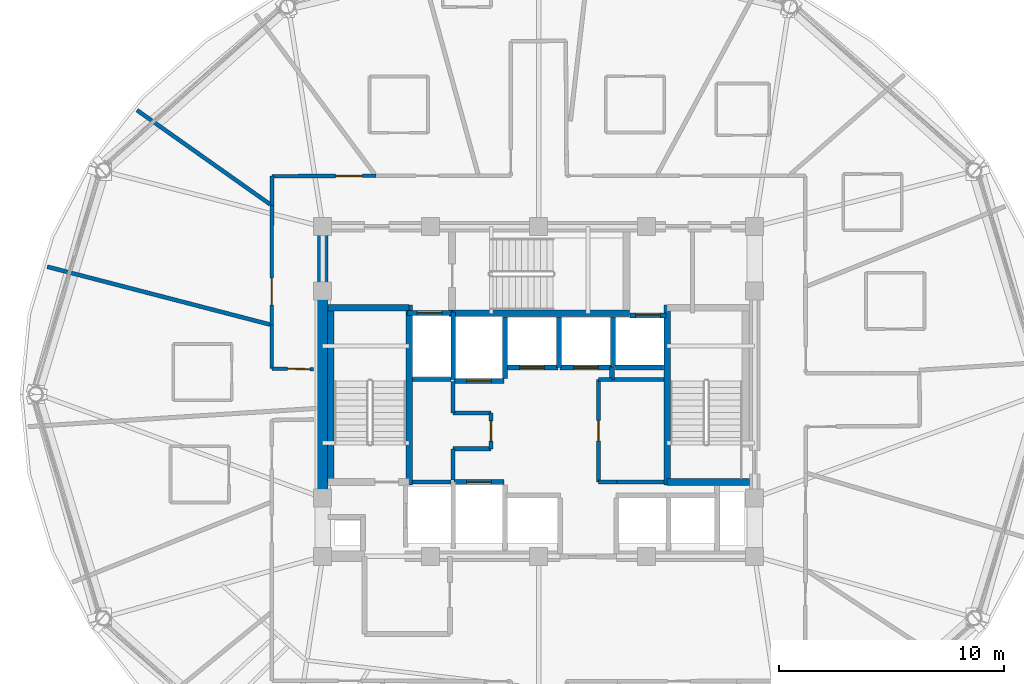
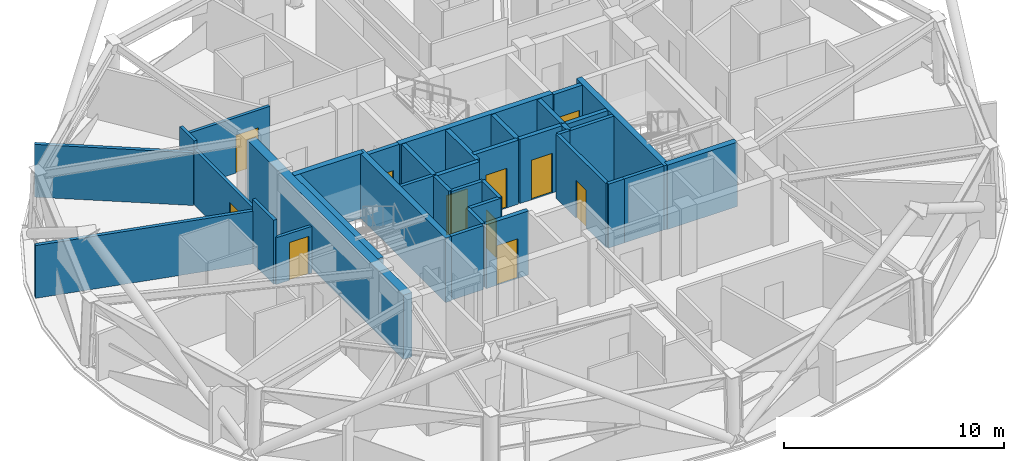
# One storey, part 8 of 14: 38 walls, 11 doors, 11 openings.
"""IFC4 building model written with IfcOpenShell, lengths in metres."""

from ifc_helpers import new_model, si_unit, direction, frame, frame_2d, origin, place, context, subcontext, project, spatial, rectangle, extrude, material, layer, layer_set, type_object, element, fill, save


model = new_model("IFC4")

# Units and contexts
model_context = context("Model", 3, precision=1e-05, world=origin(), true_north=direction((0.0, 1.0)))
body_context = subcontext(model_context, "Body", "Model", "MODEL_VIEW")
ifc_project = project(units=[si_unit("LENGTHUNIT", "METRE"), si_unit("AREAUNIT", "SQUARE_METRE"), si_unit("VOLUMEUNIT", "CUBIC_METRE"), si_unit("PLANEANGLEUNIT", "RADIAN"), si_unit("MASSUNIT", "GRAM", prefix="KILO")], contexts=[model_context])

# Site, building, storey
site_placement = place(None, origin())
site = spatial("IfcSite", under=ifc_project, at=site_placement, CompositionType="ELEMENT")
building_placement = place(site_placement, origin())
building = spatial("IfcBuilding", under=site, at=building_placement, Name="Vantalir Tower", CompositionType="ELEMENT")
storey_placement = place(building_placement, frame((0.0, 0.0, 204.89990234375)))
storey = spatial("IfcBuildingStorey", under=building, at=storey_placement, Name="L51", CompositionType="ELEMENT", Elevation=204.89990234375)

# Wall
ifc_material_1 = material(Name="Concrete C50/60", Category="concrete")
ifc_layer_1 = layer(ifc_material_1, 0.449951171875)
ifc_layer_set_1 = layer_set([ifc_layer_1], Name="Concrete C50/60")
wall_type_1 = type_object("IfcWallType", Name="WL-CORE-450", PredefinedType="SHEAR", material=ifc_layer_set_1)
wall_1_placement = place(storey_placement, frame((21.89990234375, 18.02490234375, 0.0), z_axis=(0.0, 0.0, 1.0), x_axis=(0.0, 1.0, 0.0)))
element("IfcWall", 1, at=wall_1_placement, inside=storey, type_object=wall_type_1, Name="L51 Core Shear Wall West", PredefinedType="SHEAR", context=body_context, shape_type="SweptSolid", body=[
    extrude(rectangle(XDim=14.2001953125, YDim=0.449951171875, at=frame_2d((7.10009765625, 0.0))), origin(), (0.0, 0.0, 1.0), 3.570068359375),
])

# Wall, opening, door
ifc_material_2 = material(Name="Fire-rated hotel corridor acoustic partition", Category="gypsum")
ifc_layer_2 = layer(ifc_material_2, 0.159912109375)
ifc_layer_set_2 = layer_set([ifc_layer_2], Name="Fire-rated hotel corridor acoustic partition")
wall_type_2 = type_object("IfcWallType", Name="WL-CORR-160", PredefinedType="PARTITIONING", material=ifc_layer_set_2)
wall_2_placement = place(storey_placement, frame((21.4951171875, 26.116943359375, 0.0), z_axis=(0.0, 0.0, 1.0), x_axis=(-0.999908537082, 0.013524698532, 0.0)))
wall_2 = element("IfcWall", 2, at=wall_2_placement, inside=storey, type_object=wall_type_2, Name="L51 Corridor Partition 01", PredefinedType="PARTITIONING", context=body_context, shape_type="SweptSolid", body=[
    extrude(rectangle(XDim=1.859375, YDim=0.159912109375, at=frame_2d((0.9296875, 0.0))), origin(), (0.0, 0.0, 1.0), 2.59521484375),
])
opening_1_placement = place(wall_2_placement, frame((0.159912109375, 0.0, 0.0)))
opening_1 = element("IfcOpeningElement", 3, at=opening_1_placement, cuts=wall_2, Name="Opening D-GUEST", PredefinedType="OPENING", context=body_context, shape_type="SweptSolid", body=[
    extrude(rectangle(XDim=1.0, YDim=2.10009765625, at=frame_2d((0.5, 1.050048828125))), frame((0.0, 0.08984375, 0.0), z_axis=(0.0, -1.0, 0.0), x_axis=(1.0, 0.0, 0.0)), (0.0, 0.0, 1.0), 0.179931640625),
])
ifc_material_3 = material(Name="Solid-core teak veneer acoustic fire door", Category="wood")
door_type_1 = type_object("IfcDoorType", Name="DR-GUEST-ENTRY-1000", OperationType="NOTDEFINED", PredefinedType="DOOR", material=ifc_material_3)
door_1_placement = place(opening_1_placement, origin())
door_1 = element("IfcDoor", 4, at=door_1_placement, inside=storey, type_object=door_type_1, Name="L51 Twin Queen Hotel Room 09 Door", OperationType="SINGLE_SWING_LEFT", OverallHeight=2.10009765625, OverallWidth=1.0, PredefinedType="DOOR", context=body_context, shape_type="SweptSolid", body=[
    extrude(rectangle(XDim=1.0, YDim=2.10009765625, at=frame_2d((0.5, 1.050048828125))), frame((0.0, 0.02490234375, 0.0), z_axis=(0.0, -1.0, 0.0), x_axis=(1.0, 0.0, 0.0)), (0.0, 0.0, 1.0), 0.050048828125),
])
fill(opening_1, door_1)

# Wall
wall_3_placement = place(storey_placement, frame((19.635986328125, 26.14208984375, 0.0), z_axis=(0.0, 0.0, 1.0), x_axis=(0.001008318116, 0.999999491647, 0.0)))
element("IfcWall", 5, at=wall_3_placement, inside=storey, type_object=wall_type_2, Name="L51 Corridor Partition 02", PredefinedType="PARTITIONING", context=body_context, shape_type="SweptSolid", body=[
    extrude(rectangle(XDim=1.93701171875, YDim=0.159912109375, at=frame_2d((0.968505859375, 0.0))), origin(), (0.0, 0.0, 1.0), 3.550048828125),
])

# Wall, opening, door
wall_4_placement = place(storey_placement, frame((19.637939453125, 28.0791015625, 0.0), z_axis=(0.0, 0.0, 1.0), x_axis=(0.000966094226, 0.999999533331, 0.0)))
wall_4 = element("IfcWall", 6, at=wall_4_placement, inside=storey, type_object=wall_type_2, Name="L51 Corridor Partition 03", PredefinedType="PARTITIONING", context=body_context, shape_type="SweptSolid", body=[
    extrude(rectangle(XDim=5.306884765625, YDim=0.159912109375, at=frame_2d((2.6533203125, 0.0))), origin(), (0.0, 0.0, 1.0), 3.0810546875),
])
opening_2_placement = place(wall_4_placement, frame((0.887939453125, 0.0, 0.0)))
opening_2 = element("IfcOpeningElement", 7, at=opening_2_placement, cuts=wall_4, Name="Opening D-STE", PredefinedType="OPENING", context=body_context, shape_type="SweptSolid", body=[
    extrude(rectangle(XDim=1.199951171875, YDim=2.10009765625, at=frame_2d((0.60009765625, 1.050048828125))), frame((0.0, 0.08984375, 0.0), z_axis=(0.0, -1.0, 0.0), x_axis=(1.0, 0.0, 0.0)), (0.0, 0.0, 1.0), 0.179931640625),
])
ifc_material_4 = material(Name="Solid-core teak veneer suite entrance door", Category="wood")
door_type_2 = type_object("IfcDoorType", Name="DR-SUITE-ENTRY-1200", OperationType="NOTDEFINED", PredefinedType="DOOR", material=ifc_material_4)
door_2_placement = place(opening_2_placement, origin())
door_2 = element("IfcDoor", 8, at=door_2_placement, inside=storey, type_object=door_type_2, Name="L51 Club Reading Lounge 08 Door", OperationType="SINGLE_SWING_RIGHT", OverallHeight=2.10009765625, OverallWidth=1.199951171875, PredefinedType="DOOR", context=body_context, shape_type="SweptSolid", body=[
    extrude(rectangle(XDim=1.199951171875, YDim=2.10009765625, at=frame_2d((0.60009765625, 1.050048828125))), frame((0.0, 0.02490234375, 0.0), z_axis=(0.0, -1.0, 0.0), x_axis=(1.0, 0.0, 0.0)), (0.0, 0.0, 1.0), 0.050048828125),
])
fill(opening_2, door_2)

# Wall
wall_5_placement = place(storey_placement, frame((19.64306640625, 33.385986328125, 0.0), z_axis=(0.0, 0.0, 1.0), x_axis=(0.000743217929, 0.999999723814, 0.0)))
element("IfcWall", 9, at=wall_5_placement, inside=storey, type_object=wall_type_2, Name="L51 Corridor Partition 04", PredefinedType="PARTITIONING", context=body_context, shape_type="SweptSolid", body=[
    extrude(rectangle(XDim=1.31396484375, YDim=0.159912109375, at=frame_2d((0.656982421875, 0.0))), origin(), (0.0, 0.0, 1.0), 3.550048828125),
])

# Wall, opening, door
wall_6_placement = place(storey_placement, frame((19.64404296875, 34.699951171875, 0.0), z_axis=(0.0, 0.0, 1.0), x_axis=(0.99999882779, 0.001531149208, 0.0)))
wall_6 = element("IfcWall", 10, at=wall_6_placement, inside=storey, type_object=wall_type_2, Name="L51 Corridor Partition 05", PredefinedType="PARTITIONING", context=body_context, shape_type="SweptSolid", body=[
    extrude(rectangle(XDim=4.6240234375, YDim=0.159912109375, at=frame_2d((2.31201171875, 0.0))), origin(), (0.0, 0.0, 1.0), 3.0810546875),
])
opening_3_placement = place(wall_6_placement, frame((2.821044921875, 0.0, 0.0)))
opening_3 = element("IfcOpeningElement", 11, at=opening_3_placement, cuts=wall_6, Name="Opening D-STE", PredefinedType="OPENING", context=body_context, shape_type="SweptSolid", body=[
    extrude(rectangle(XDim=1.199951171875, YDim=2.10009765625, at=frame_2d((0.60009765625, 1.050048828125))), frame((0.0, 0.08984375, 0.0), z_axis=(0.0, -1.0, 0.0), x_axis=(1.0, 0.0, 0.0)), (0.0, 0.0, 1.0), 0.179931640625),
])
door_3_placement = place(opening_3_placement, origin())
door_3 = element("IfcDoor", 12, at=door_3_placement, inside=storey, type_object=door_type_2, Name="L51 Executive Business Study 07 Door", OperationType="SINGLE_SWING_LEFT", OverallHeight=2.10009765625, OverallWidth=1.199951171875, PredefinedType="DOOR", context=body_context, shape_type="SweptSolid", body=[
    extrude(rectangle(XDim=1.199951171875, YDim=2.10009765625, at=frame_2d((0.60009765625, 1.050048828125))), frame((0.0, 0.02490234375, 0.0), z_axis=(0.0, -1.0, 0.0), x_axis=(1.0, 0.0, 0.0)), (0.0, 0.0, 1.0), 0.050048828125),
])
fill(opening_3, door_3)

# Walls
ifc_material_5 = material(Name="Concrete blockwork with fireboard lining", Category="masonry")
ifc_layer_3 = layer(ifc_material_5, 0.219970703125)
ifc_layer_set_3 = layer_set([ifc_layer_3], Name="Concrete blockwork with fireboard lining")
wall_type_3 = type_object("IfcWallType", Name="WL-FFL-220", PredefinedType="PARTITIONING", material=ifc_layer_set_3)
wall_7_placement = place(storey_placement, frame((30.0, 25.7099609375, 0.0), z_axis=(0.0, 0.0, 1.0), x_axis=(0.0, 1.0, 0.0)))
element("IfcWall", 13, at=wall_7_placement, inside=storey, type_object=wall_type_3, Name="L51 Service Lift SV2 East Shaft Wall", PredefinedType="PARTITIONING", context=body_context, shape_type="SweptSolid", body=[
    extrude(rectangle(XDim=2.72998046875, YDim=0.219970703125, at=frame_2d((1.364990234375, 0.0))), origin(), (0.0, 0.0, 1.0), 3.545166015625),
])
wall_8_placement = place(storey_placement, frame((32.39990234375, 26.199951171875, 0.0), z_axis=(0.0, 0.0, 1.0), x_axis=(0.0, 1.0, 0.0)))
element("IfcWall", 14, at=wall_8_placement, inside=storey, type_object=wall_type_3, Name="L51 High-Rise Lift PL-H1/H2 Shaft Divider", PredefinedType="PARTITIONING", context=body_context, shape_type="SweptSolid", body=[
    extrude(rectangle(XDim=2.239990234375, YDim=0.219970703125, at=frame_2d((1.1201171875, 0.0))), origin(), (0.0, 0.0, 1.0), 3.545166015625),
])
wall_9_placement = place(storey_placement, frame((34.800048828125, 26.22998046875, 0.0), z_axis=(0.0, 0.0, 1.0), x_axis=(0.0, 1.0, 0.0)))
element("IfcWall", 15, at=wall_9_placement, inside=storey, type_object=wall_type_3, Name="L51 High-Rise Lift PL-H2/H3 Shaft Divider", PredefinedType="PARTITIONING", context=body_context, shape_type="SweptSolid", body=[
    extrude(rectangle(XDim=2.2099609375, YDim=0.219970703125, at=frame_2d((1.10498046875, 0.0))), origin(), (0.0, 0.0, 1.0), 3.545166015625),
])
wall_10_placement = place(storey_placement, frame((34.909912109375, 26.18994140625, 0.0), z_axis=(0.0, 0.0, 1.0), x_axis=(1.0, 0.0, 0.0)))
element("IfcWall", 16, at=wall_10_placement, inside=storey, type_object=wall_type_3, Name="L51 High-Rise Lift PL-H3 Rear Shaft Wall", PredefinedType="PARTITIONING", context=body_context, shape_type="SweptSolid", body=[
    extrude(rectangle(XDim=2.14013671875, YDim=0.219970703125, at=frame_2d((1.070068359375, 0.0))), origin(), (0.0, 0.0, 1.0), 3.545166015625),
])

# Wall, opening, door
wall_11_placement = place(storey_placement, frame((25.639892578125, 28.610107421875, 0.0), z_axis=(0.0, 0.0, 1.0), x_axis=(1.0, 0.0, 0.0)))
wall_11 = element("IfcWall", 17, at=wall_11_placement, inside=storey, type_object=wall_type_3, Name="L51 Lift FL2 Shaft Front Wall", PredefinedType="PARTITIONING", context=body_context, shape_type="SweptSolid", body=[
    extrude(rectangle(XDim=2.02001953125, YDim=0.219970703125, at=frame_2d((1.010009765625, 0.0))), origin(), (0.0, 0.0, 1.0), 3.550048828125),
])
opening_4_placement = place(wall_11_placement, frame((0.4599609375, 0.0, 0.0)))
opening_4 = element("IfcOpeningElement", 18, at=opening_4_placement, cuts=wall_11, Name="Opening LD-FL2", PredefinedType="OPENING", context=body_context, shape_type="SweptSolid", body=[
    extrude(rectangle(XDim=1.10009765625, YDim=2.199951171875, at=frame_2d((0.550048828125, 1.10009765625))), frame((0.0, 0.119873046875, 0.0), z_axis=(0.0, -1.0, 0.0), x_axis=(1.0, 0.0, 0.0)), (0.0, 0.0, 1.0), 0.239990234375),
])
ifc_material_6 = material(Name="Brushed stainless-steel sliding lift landing door", Category="steel")
door_type_3 = type_object("IfcDoorType", Name="DR-LIFT-LANDING-1100", OperationType="DOUBLE_DOOR_SLIDING", PredefinedType="DOOR", material=ifc_material_6)
door_4_placement = place(opening_4_placement, origin())
door_4 = element("IfcDoor", 19, at=door_4_placement, inside=storey, type_object=door_type_3, Name="L51 Lift Landing Door FL2", OperationType="DOUBLE_DOOR_SLIDING", OverallHeight=2.199951171875, OverallWidth=1.10009765625, PredefinedType="DOOR", context=body_context, shape_type="SweptSolid", body=[
    extrude(rectangle(XDim=1.10009765625, YDim=2.199951171875, at=frame_2d((0.550048828125, 1.10009765625))), frame((0.0, 0.02490234375, 0.0), z_axis=(0.0, -1.0, 0.0), x_axis=(1.0, 0.0, 0.0)), (0.0, 0.0, 1.0), 0.050048828125),
])
fill(opening_4, door_4)

wall_12_placement = place(storey_placement, frame((27.739990234375, 21.110107421875, 0.0), z_axis=(0.0, 0.0, 1.0), x_axis=(1.0, 0.0, 0.0)))
wall_12 = element("IfcWall", 20, at=wall_12_placement, inside=storey, type_object=wall_type_3, Name="L51 Lift SV1 Shaft Front Wall", PredefinedType="PARTITIONING", context=body_context, shape_type="SweptSolid", body=[
    extrude(rectangle(XDim=2.219970703125, YDim=0.219970703125, at=frame_2d((1.10986328125, 0.0))), origin(), (0.0, 0.0, 1.0), 3.550048828125),
])
opening_5_placement = place(wall_12_placement, frame((0.56005859375, 0.0, 0.0)))
opening_5 = element("IfcOpeningElement", 21, at=opening_5_placement, cuts=wall_12, Name="Opening LD-SV1", PredefinedType="OPENING", context=body_context, shape_type="SweptSolid", body=[
    extrude(rectangle(XDim=1.10009765625, YDim=2.199951171875, at=frame_2d((0.550048828125, 1.10009765625))), frame((0.0, 0.119873046875, 0.0), z_axis=(0.0, -1.0, 0.0), x_axis=(1.0, 0.0, 0.0)), (0.0, 0.0, 1.0), 0.239990234375),
])
door_5_placement = place(opening_5_placement, origin())
door_5 = element("IfcDoor", 22, at=door_5_placement, inside=storey, type_object=door_type_3, Name="L51 Lift Landing Door SV1", OperationType="DOUBLE_DOOR_SLIDING", OverallHeight=2.199951171875, OverallWidth=1.10009765625, PredefinedType="DOOR", context=body_context, shape_type="SweptSolid", body=[
    extrude(rectangle(XDim=1.10009765625, YDim=2.199951171875, at=frame_2d((0.550048828125, 1.10009765625))), frame((0.0, 0.02490234375, 0.0), z_axis=(0.0, -1.0, 0.0), x_axis=(1.0, 0.0, 0.0)), (0.0, 0.0, 1.0), 0.050048828125),
])
fill(opening_5, door_5)

wall_13_placement = place(storey_placement, frame((27.739990234375, 25.590087890625, 0.0), z_axis=(0.0, 0.0, 1.0), x_axis=(1.0, 0.0, 0.0)))
wall_13 = element("IfcWall", 23, at=wall_13_placement, inside=storey, type_object=wall_type_3, Name="L51 Lift SV2 Shaft Front Wall", PredefinedType="PARTITIONING", context=body_context, shape_type="SweptSolid", body=[
    extrude(rectangle(XDim=2.219970703125, YDim=0.219970703125, at=frame_2d((1.10986328125, 0.0))), origin(), (0.0, 0.0, 1.0), 3.550048828125),
])
opening_6_placement = place(wall_13_placement, frame((0.56005859375, 0.0, 0.0)))
opening_6 = element("IfcOpeningElement", 24, at=opening_6_placement, cuts=wall_13, Name="Opening LD-SV2", PredefinedType="OPENING", context=body_context, shape_type="SweptSolid", body=[
    extrude(rectangle(XDim=1.10009765625, YDim=2.199951171875, at=frame_2d((0.550048828125, 1.10009765625))), frame((0.0, 0.119873046875, 0.0), z_axis=(0.0, -1.0, 0.0), x_axis=(1.0, 0.0, 0.0)), (0.0, 0.0, 1.0), 0.239990234375),
])
door_6_placement = place(opening_6_placement, frame((1.10009765625, 0.0, 0.0), z_axis=(0.0, 0.0, 1.0), x_axis=(-1.0, 0.0, 0.0)))
door_6 = element("IfcDoor", 25, at=door_6_placement, inside=storey, type_object=door_type_3, Name="L51 Lift Landing Door SV2", OperationType="DOUBLE_DOOR_SLIDING", OverallHeight=2.199951171875, OverallWidth=1.10009765625, PredefinedType="DOOR", context=body_context, shape_type="SweptSolid", body=[
    extrude(rectangle(XDim=1.10009765625, YDim=2.199951171875, at=frame_2d((0.550048828125, 1.10009765625))), frame((0.0, 0.02490234375, 0.0), z_axis=(0.0, -1.0, 0.0), x_axis=(1.0, 0.0, 0.0)), (0.0, 0.0, 1.0), 0.050048828125),
])
fill(opening_6, door_6)

wall_14_placement = place(storey_placement, frame((30.0400390625, 26.18994140625, 0.0), z_axis=(0.0, 0.0, 1.0), x_axis=(1.0, 0.0, 0.0)))
wall_14 = element("IfcWall", 26, at=wall_14_placement, inside=storey, type_object=wall_type_3, Name="L51 Lift PL-H1 Shaft Front Wall", PredefinedType="PARTITIONING", context=body_context, shape_type="SweptSolid", body=[
    extrude(rectangle(XDim=2.320068359375, YDim=0.219970703125, at=frame_2d((1.16015625, 0.0))), origin(), (0.0, 0.0, 1.0), 3.550048828125),
])
opening_7_placement = place(wall_14_placement, frame((0.610107421875, 0.0, 0.0)))
opening_7 = element("IfcOpeningElement", 27, at=opening_7_placement, cuts=wall_14, Name="Opening LD-PL-H1", PredefinedType="OPENING", context=body_context, shape_type="SweptSolid", body=[
    extrude(rectangle(XDim=1.10009765625, YDim=2.199951171875, at=frame_2d((0.550048828125, 1.10009765625))), frame((0.0, 0.119873046875, 0.0), z_axis=(0.0, -1.0, 0.0), x_axis=(1.0, 0.0, 0.0)), (0.0, 0.0, 1.0), 0.239990234375),
])
door_7_placement = place(opening_7_placement, frame((1.10009765625, 0.0, 0.0), z_axis=(0.0, 0.0, 1.0), x_axis=(-1.0, 0.0, 0.0)))
door_7 = element("IfcDoor", 28, at=door_7_placement, inside=storey, type_object=door_type_3, Name="L51 Lift Landing Door PL-H1", OperationType="DOUBLE_DOOR_SLIDING", OverallHeight=2.199951171875, OverallWidth=1.10009765625, PredefinedType="DOOR", context=body_context, shape_type="SweptSolid", body=[
    extrude(rectangle(XDim=1.10009765625, YDim=2.199951171875, at=frame_2d((0.550048828125, 1.10009765625))), frame((0.0, 0.02490234375, 0.0), z_axis=(0.0, -1.0, 0.0), x_axis=(1.0, 0.0, 0.0)), (0.0, 0.0, 1.0), 0.050048828125),
])
fill(opening_7, door_7)

wall_15_placement = place(storey_placement, frame((32.43994140625, 26.18994140625, 0.0), z_axis=(0.0, 0.0, 1.0), x_axis=(1.0, 0.0, 0.0)))
wall_15 = element("IfcWall", 29, at=wall_15_placement, inside=storey, type_object=wall_type_3, Name="L51 Lift PL-H2 Shaft Front Wall", PredefinedType="PARTITIONING", context=body_context, shape_type="SweptSolid", body=[
    extrude(rectangle(XDim=2.320068359375, YDim=0.219970703125, at=frame_2d((1.16015625, 0.0))), origin(), (0.0, 0.0, 1.0), 3.550048828125),
])
opening_8_placement = place(wall_15_placement, frame((0.610107421875, 0.0, 0.0)))
opening_8 = element("IfcOpeningElement", 30, at=opening_8_placement, cuts=wall_15, Name="Opening LD-PL-H2", PredefinedType="OPENING", context=body_context, shape_type="SweptSolid", body=[
    extrude(rectangle(XDim=1.10009765625, YDim=2.199951171875, at=frame_2d((0.550048828125, 1.10009765625))), frame((0.0, 0.119873046875, 0.0), z_axis=(0.0, -1.0, 0.0), x_axis=(1.0, 0.0, 0.0)), (0.0, 0.0, 1.0), 0.239990234375),
])
door_8_placement = place(opening_8_placement, frame((1.10009765625, 0.0, 0.0), z_axis=(0.0, 0.0, 1.0), x_axis=(-1.0, 0.0, 0.0)))
door_8 = element("IfcDoor", 31, at=door_8_placement, inside=storey, type_object=door_type_3, Name="L51 Lift Landing Door PL-H2", OperationType="DOUBLE_DOOR_SLIDING", OverallHeight=2.199951171875, OverallWidth=1.10009765625, PredefinedType="DOOR", context=body_context, shape_type="SweptSolid", body=[
    extrude(rectangle(XDim=1.10009765625, YDim=2.199951171875, at=frame_2d((0.550048828125, 1.10009765625))), frame((0.0, 0.02490234375, 0.0), z_axis=(0.0, -1.0, 0.0), x_axis=(1.0, 0.0, 0.0)), (0.0, 0.0, 1.0), 0.050048828125),
])
fill(opening_8, door_8)

wall_16_placement = place(storey_placement, frame((35.56005859375, 28.510009765625, 0.0), z_axis=(0.0, 0.0, 1.0), x_axis=(1.0, 0.0, 0.0)))
wall_16 = element("IfcWall", 32, at=wall_16_placement, inside=storey, type_object=wall_type_3, Name="L51 Lift PL-H3 Shaft Front Wall", PredefinedType="PARTITIONING", context=body_context, shape_type="SweptSolid", body=[
    extrude(rectangle(XDim=1.599853515625, YDim=0.219970703125, at=frame_2d((0.7998046875, 0.0))), origin(), (0.0, 0.0, 1.0), 3.550048828125),
])
opening_9_placement = place(wall_16_placement, frame((0.25, 0.0, 0.0)))
opening_9 = element("IfcOpeningElement", 33, at=opening_9_placement, cuts=wall_16, Name="Opening LD-PL-H3", PredefinedType="OPENING", context=body_context, shape_type="SweptSolid", body=[
    extrude(rectangle(XDim=1.10009765625, YDim=2.199951171875, at=frame_2d((0.550048828125, 1.10009765625))), frame((0.0, 0.119873046875, 0.0), z_axis=(0.0, -1.0, 0.0), x_axis=(1.0, 0.0, 0.0)), (0.0, 0.0, 1.0), 0.239990234375),
])
door_9_placement = place(opening_9_placement, origin())
door_9 = element("IfcDoor", 34, at=door_9_placement, inside=storey, type_object=door_type_3, Name="L51 Lift Landing Door PL-H3", OperationType="DOUBLE_DOOR_SLIDING", OverallHeight=2.199951171875, OverallWidth=1.10009765625, PredefinedType="DOOR", context=body_context, shape_type="SweptSolid", body=[
    extrude(rectangle(XDim=1.10009765625, YDim=2.199951171875, at=frame_2d((0.550048828125, 1.10009765625))), frame((0.0, 0.02490234375, 0.0), z_axis=(0.0, -1.0, 0.0), x_axis=(1.0, 0.0, 0.0)), (0.0, 0.0, 1.0), 0.050048828125),
])
fill(opening_9, door_9)

# Walls
wall_17_placement = place(storey_placement, frame((27.699951171875, 25.64990234375, 0.0), z_axis=(0.0, 0.0, 1.0), x_axis=(0.0, 1.0, 0.0)))
element("IfcWall", 35, at=wall_17_placement, inside=storey, type_object=wall_type_3, Name="L51 Fire Lift FL2 Dividing Wall", PredefinedType="PARTITIONING", context=body_context, shape_type="SweptSolid", body=[
    extrude(rectangle(XDim=3.0, YDim=0.219970703125, at=frame_2d((1.5, 0.0))), origin(), (0.0, 0.0, 1.0), 3.550048828125),
])
wall_18_placement = place(storey_placement, frame((34.760009765625, 25.64990234375, 0.0), z_axis=(0.0, 0.0, 1.0), x_axis=(0.0, 1.0, 0.0)))
element("IfcWall", 36, at=wall_18_placement, inside=storey, type_object=wall_type_3, Name="L51 High-Rise Shaft Shoulder Wall", PredefinedType="PARTITIONING", context=body_context, shape_type="SweptSolid", body=[
    extrude(rectangle(XDim=0.570068359375, YDim=0.219970703125, at=frame_2d((0.28515625, 0.0))), origin(), (0.0, 0.0, 1.0), 3.550048828125),
])
ifc_material_7 = material(Name="Twin-stud acoustic fire-rated gypsum partition", Category="gypsum")
ifc_layer_4 = layer(ifc_material_7, 0.179931640625)
ifc_layer_set_4 = layer_set([ifc_layer_4], Name="Twin-stud acoustic fire-rated gypsum partition")
wall_type_4 = type_object("IfcWallType", Name="WL-GUEST-180", PredefinedType="PARTITIONING", material=ifc_layer_set_4)
for number, where, z_axis, x_axis, name in (
    (37, (25.889892578125, 21.10009765625, 0.0), (0.0, 0.0, 1.0), (1.0, 0.0, 0.0), "L51 Freed West Core South Wall"),
    (38, (25.889892578125, 25.64990234375, 0.0), (0.0, 0.0, 1.0), (1.0, 0.0, 0.0), "L51 Freed West Core North Wall"),
):
    element("IfcWall", number, at=place(storey_placement, frame(where, z_axis=z_axis, x_axis=x_axis)), inside=storey, type_object=wall_type_4, Name=name, PredefinedType="PARTITIONING", context=body_context, shape_type="SweptSolid", body=[
        extrude(rectangle(XDim=1.7001953125, YDim=0.179931640625, at=frame_2d((0.85009765625, 0.0))), origin(), (0.0, 0.0, 1.0), 3.550048828125),
    ])
wall_19_placement = place(storey_placement, frame((27.679931640625, 21.18994140625, 0.0), z_axis=(0.0, 0.0, 1.0), x_axis=(0.0, 1.0, 0.0)))
element("IfcWall", 39, at=wall_19_placement, inside=storey, type_object=wall_type_4, Name="L51 West IT Room Lower East Wall", PredefinedType="PARTITIONING", context=body_context, shape_type="SweptSolid", body=[
    extrude(rectangle(XDim=1.39013671875, YDim=0.179931640625, at=frame_2d((0.695068359375, 0.0))), origin(), (0.0, 0.0, 1.0), 3.550048828125),
])
wall_20_placement = place(storey_placement, frame((27.679931640625, 22.580078125, 0.0), z_axis=(0.0, 0.0, 1.0), x_axis=(1.0, 0.0, 0.0)))
element("IfcWall", 40, at=wall_20_placement, inside=storey, type_object=wall_type_4, Name="L51 West IT Room Alcove South Wall", PredefinedType="PARTITIONING", context=body_context, shape_type="SweptSolid", body=[
    extrude(rectangle(XDim=1.699951171875, YDim=0.179931640625, at=frame_2d((0.85009765625, 0.0))), origin(), (0.0, 0.0, 1.0), 3.550048828125),
])

# Wall, opening, door
wall_21_placement = place(storey_placement, frame((29.3798828125, 22.580078125, 0.0), z_axis=(0.0, 0.0, 1.0), x_axis=(0.0, 1.0, 0.0)))
wall_21 = element("IfcWall", 41, at=wall_21_placement, inside=storey, type_object=wall_type_4, Name="L51 West IT Room Alcove East Wall", PredefinedType="PARTITIONING", context=body_context, shape_type="SweptSolid", body=[
    extrude(rectangle(XDim=1.579833984375, YDim=0.179931640625, at=frame_2d((0.7900390625, 0.0))), origin(), (0.0, 0.0, 1.0), 3.550048828125),
])
opening_10_placement = place(wall_21_placement, frame((0.340087890625, 0.0, 0.0)))
opening_10 = element("IfcOpeningElement", 42, at=opening_10_placement, cuts=wall_21, Name="Opening D-CR", PredefinedType="OPENING", context=body_context, shape_type="SweptSolid", body=[
    extrude(rectangle(XDim=0.89990234375, YDim=2.10009765625, at=frame_2d((0.449951171875, 1.050048828125))), frame((0.0, 0.099853515625, 0.0), z_axis=(0.0, -1.0, 0.0), x_axis=(1.0, 0.0, 0.0)), (0.0, 0.0, 1.0), 0.199951171875),
])
ifc_material_8 = material(Name="Fire-rated steel core service door", Category="steel")
door_type_4 = type_object("IfcDoorType", Name="DR-CORE-SERV-900", OperationType="NOTDEFINED", PredefinedType="DOOR", material=ifc_material_8)
door_10_placement = place(opening_10_placement, origin())
door_10 = element("IfcDoor", 43, at=door_10_placement, inside=storey, type_object=door_type_4, Name="L51 Core IT Comms Door", OperationType="SINGLE_SWING_RIGHT", OverallHeight=2.10009765625, OverallWidth=0.89990234375, PredefinedType="DOOR", context=body_context, shape_type="SweptSolid", body=[
    extrude(rectangle(XDim=0.89990234375, YDim=2.10009765625, at=frame_2d((0.449951171875, 1.050048828125))), frame((0.0, 0.02490234375, 0.0), z_axis=(0.0, -1.0, 0.0), x_axis=(1.0, 0.0, 0.0)), (0.0, 0.0, 1.0), 0.050048828125),
])
fill(opening_10, door_10)

# Walls
wall_22_placement = place(storey_placement, frame((27.679931640625, 24.159912109375, 0.0), z_axis=(0.0, 0.0, 1.0), x_axis=(1.0, 0.0, 0.0)))
element("IfcWall", 44, at=wall_22_placement, inside=storey, type_object=wall_type_4, Name="L51 West IT Room Alcove North Wall", PredefinedType="PARTITIONING", context=body_context, shape_type="SweptSolid", body=[
    extrude(rectangle(XDim=1.699951171875, YDim=0.179931640625, at=frame_2d((0.85009765625, 0.0))), origin(), (0.0, 0.0, 1.0), 3.550048828125),
])
wall_23_placement = place(storey_placement, frame((27.679931640625, 24.159912109375, 0.0), z_axis=(0.0, 0.0, 1.0), x_axis=(0.0, 1.0, 0.0)))
element("IfcWall", 45, at=wall_23_placement, inside=storey, type_object=wall_type_4, Name="L51 West IT Room Upper East Wall", PredefinedType="PARTITIONING", context=body_context, shape_type="SweptSolid", body=[
    extrude(rectangle(XDim=1.400146484375, YDim=0.179931640625, at=frame_2d((0.7001953125, 0.0))), origin(), (0.0, 0.0, 1.0), 3.550048828125),
])
wall_24_placement = place(storey_placement, frame((34.97998046875, 21.10009765625, 0.0), z_axis=(0.0, 0.0, 1.0), x_axis=(1.0, 0.0, 0.0)))
element("IfcWall", 46, at=wall_24_placement, inside=storey, type_object=wall_type_4, Name="L51 Freed East Core South Wall", PredefinedType="PARTITIONING", context=body_context, shape_type="SweptSolid", body=[
    extrude(rectangle(XDim=2.080078125, YDim=0.179931640625, at=frame_2d((1.0400390625, 0.0))), origin(), (0.0, 0.0, 1.0), 3.550048828125),
])
wall_25_placement = place(storey_placement, frame((34.719970703125, 25.64990234375, 0.0), z_axis=(0.0, 0.0, 1.0), x_axis=(1.0, 0.0, 0.0)))
element("IfcWall", 47, at=wall_25_placement, inside=storey, type_object=wall_type_4, Name="L51 Freed East Core North Wall", PredefinedType="PARTITIONING", context=body_context, shape_type="SweptSolid", body=[
    extrude(rectangle(XDim=2.340087890625, YDim=0.179931640625, at=frame_2d((1.169921875, 0.0))), origin(), (0.0, 0.0, 1.0), 3.550048828125),
])
wall_26_placement = place(storey_placement, frame((34.159912109375, 21.10009765625, 0.0), z_axis=(0.0, 0.0, 1.0), x_axis=(1.0, 0.0, 0.0)))
element("IfcWall", 48, at=wall_26_placement, inside=storey, type_object=wall_type_4, Name="L51 East IT Room South Return", PredefinedType="PARTITIONING", context=body_context, shape_type="SweptSolid", body=[
    extrude(rectangle(XDim=0.820068359375, YDim=0.179931640625, at=frame_2d((0.41015625, 0.0))), origin(), (0.0, 0.0, 1.0), 3.550048828125),
])
wall_27_placement = place(storey_placement, frame((34.159912109375, 25.64990234375, 0.0), z_axis=(0.0, 0.0, 1.0), x_axis=(1.0, 0.0, 0.0)))
element("IfcWall", 49, at=wall_27_placement, inside=storey, type_object=wall_type_4, Name="L51 East IT Room North Return", PredefinedType="PARTITIONING", context=body_context, shape_type="SweptSolid", body=[
    extrude(rectangle(XDim=0.60009765625, YDim=0.179931640625, at=frame_2d((0.300048828125, 0.0))), origin(), (0.0, 0.0, 1.0), 3.550048828125),
])

# Wall, opening, door
wall_28_placement = place(storey_placement, frame((34.159912109375, 21.10009765625, 0.0), z_axis=(0.0, 0.0, 1.0), x_axis=(0.0, 1.0, 0.0)))
wall_28 = element("IfcWall", 50, at=wall_28_placement, inside=storey, type_object=wall_type_4, Name="L51 East IT Room West Wall", PredefinedType="PARTITIONING", context=body_context, shape_type="SweptSolid", body=[
    extrude(rectangle(XDim=4.5498046875, YDim=0.179931640625, at=frame_2d((2.27490234375, 0.0))), origin(), (0.0, 0.0, 1.0), 3.550048828125),
])
opening_11_placement = place(wall_28_placement, frame((1.824951171875, 0.0, 0.0)))
opening_11 = element("IfcOpeningElement", 51, at=opening_11_placement, cuts=wall_28, Name="Opening D-CR", PredefinedType="OPENING", context=body_context, shape_type="SweptSolid", body=[
    extrude(rectangle(XDim=0.89990234375, YDim=2.10009765625, at=frame_2d((0.449951171875, 1.050048828125))), frame((0.0, 0.099853515625, 0.0), z_axis=(0.0, -1.0, 0.0), x_axis=(1.0, 0.0, 0.0)), (0.0, 0.0, 1.0), 0.199951171875),
])
door_11_placement = place(opening_11_placement, frame((0.89990234375, 0.0, 0.0), z_axis=(0.0, 0.0, 1.0), x_axis=(-1.0, 0.0, 0.0)))
door_11 = element("IfcDoor", 52, at=door_11_placement, inside=storey, type_object=door_type_4, Name="L51 Core Data Switchroom Door", OperationType="SINGLE_SWING_RIGHT", OverallHeight=2.10009765625, OverallWidth=0.89990234375, PredefinedType="DOOR", context=body_context, shape_type="SweptSolid", body=[
    extrude(rectangle(XDim=0.89990234375, YDim=2.10009765625, at=frame_2d((0.449951171875, 1.050048828125))), frame((0.0, 0.02490234375, 0.0), z_axis=(0.0, -1.0, 0.0), x_axis=(1.0, 0.0, 0.0)), (0.0, 0.0, 1.0), 0.050048828125),
])
fill(opening_11, door_11)

# Walls
wall_29_placement = place(storey_placement, frame((19.56005859375, 33.445068359375, 0.0), z_axis=(0.0, 0.0, 1.0), x_axis=(-0.816503567905, 0.577340387984, 0.0)))
element("IfcWall", 53, at=wall_29_placement, inside=storey, type_object=wall_type_4, Name="L51 Radial Suite Partition 08", PredefinedType="PARTITIONING", context=body_context, shape_type="SweptSolid", body=[
    extrude(rectangle(XDim=7.246826171875, YDim=0.179931640625, at=frame_2d((3.62353515625, 0.0))), origin(), (0.0, 0.0, 1.0), 2.925048828125),
])
wall_30_placement = place(storey_placement, frame((19.56005859375, 28.10009765625, 0.0), z_axis=(0.0, 0.0, 1.0), x_axis=(-0.967923651935, 0.251244510436, 0.0)))
element("IfcWall", 54, at=wall_30_placement, inside=storey, type_object=wall_type_4, Name="L51 Radial Suite Partition 09", PredefinedType="PARTITIONING", context=body_context, shape_type="SweptSolid", body=[
    extrude(rectangle(XDim=10.232177734375, YDim=0.179931640625, at=frame_2d((5.1162109375, 0.0))), origin(), (0.0, 0.0, 1.0), 2.925048828125),
])
ifc_layer_5 = layer(ifc_material_1, 0.300048828125)
ifc_layer_set_5 = layer_set([ifc_layer_5], Name="Concrete C50/60")
wall_type_5 = type_object("IfcWallType", Name="WL-STAIR-300", PredefinedType="SHEAR", material=ifc_layer_set_5)
wall_31_placement = place(storey_placement, frame((22.125, 28.85009765625, 0.0), z_axis=(0.0, 0.0, 1.0), x_axis=(1.0, 0.0, 0.0)))
element("IfcWall", 55, at=wall_31_placement, inside=storey, type_object=wall_type_5, Name="L51 Stair ST1 North Wall", PredefinedType="SHEAR", context=body_context, shape_type="SweptSolid", body=[
    extrude(rectangle(XDim=3.614990234375, YDim=0.300048828125, at=frame_2d((1.8076171875, 0.0))), origin(), (0.0, 0.0, 1.0), 3.570068359375),
])
wall_32_placement = place(storey_placement, frame((25.739990234375, 20.97998046875, 0.0), z_axis=(0.0, 0.0, 1.0), x_axis=(0.0, 1.0, 0.0)))
element("IfcWall", 56, at=wall_32_placement, inside=storey, type_object=wall_type_5, Name="L51 Stair ST1 East Wall", PredefinedType="SHEAR", context=body_context, shape_type="SweptSolid", body=[
    extrude(rectangle(XDim=7.989990234375, YDim=0.300048828125, at=frame_2d((3.9951171875, 0.0))), origin(), (0.0, 0.0, 1.0), 3.570068359375),
])
wall_33_placement = place(storey_placement, frame((22.260009765625, 21.10009765625, 0.0), z_axis=(0.0, 0.0, 1.0), x_axis=(0.0, 1.0, 0.0)))
element("IfcWall", 57, at=wall_33_placement, inside=storey, type_object=wall_type_5, Name="L51 Stair ST1 West Liner Wall", PredefinedType="SHEAR", context=body_context, shape_type="SweptSolid", body=[
    extrude(rectangle(XDim=7.75, YDim=0.300048828125, at=frame_2d((3.875, 0.0))), origin(), (0.0, 0.0, 1.0), 3.570068359375),
])
wall_34_placement = place(storey_placement, frame((37.2099609375, 21.10009765625, 0.0), z_axis=(0.0, 0.0, 1.0), x_axis=(1.0, 0.0, 0.0)))
element("IfcWall", 58, at=wall_34_placement, inside=storey, type_object=wall_type_5, Name="L51 Stair ST2 South Wall", PredefinedType="SHEAR", context=body_context, shape_type="SweptSolid", body=[
    extrude(rectangle(XDim=3.6650390625, YDim=0.300048828125, at=frame_2d((1.83251953125, 0.0))), origin(), (0.0, 0.0, 1.0), 3.570068359375),
])
wall_35_placement = place(storey_placement, frame((37.2099609375, 20.97998046875, 0.0), z_axis=(0.0, 0.0, 1.0), x_axis=(0.0, 1.0, 0.0)))
element("IfcWall", 59, at=wall_35_placement, inside=storey, type_object=wall_type_5, Name="L51 Stair ST2 West Wall", PredefinedType="SHEAR", context=body_context, shape_type="SweptSolid", body=[
    extrude(rectangle(XDim=7.989990234375, YDim=0.300048828125, at=frame_2d((3.9951171875, 0.0))), origin(), (0.0, 0.0, 1.0), 3.570068359375),
])
wall_36_placement = place(storey_placement, frame((27.510009765625, 28.60009765625, 0.0), z_axis=(0.0, 0.0, 1.0), x_axis=(1.0, 0.0, 0.0)))
element("IfcWall", 60, at=wall_36_placement, inside=storey, type_object=wall_type_5, Name="L51 Stair ST3 South Wall", PredefinedType="SHEAR", context=body_context, shape_type="SweptSolid", body=[
    extrude(rectangle(XDim=8.030029296875, YDim=0.300048828125, at=frame_2d((4.01513671875, 0.0))), origin(), (0.0, 0.0, 1.0), 3.570068359375),
])

save(model, "model.ifc")
